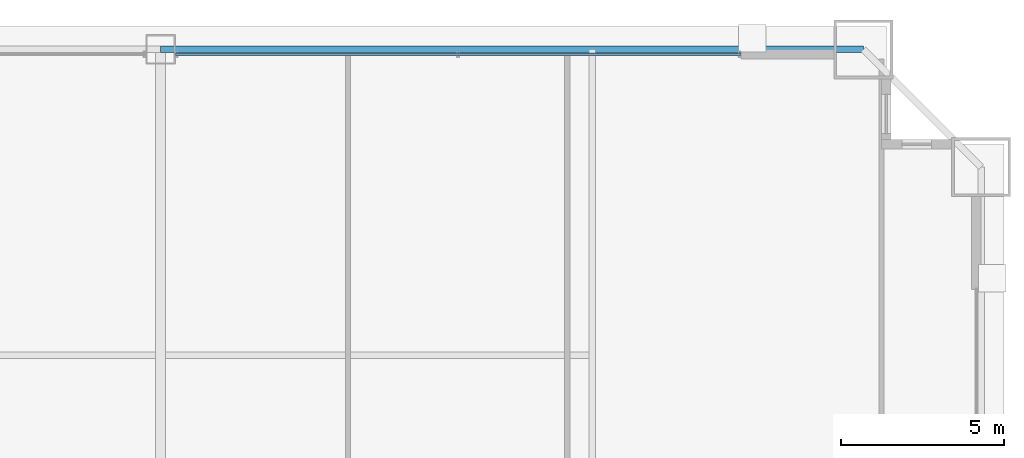
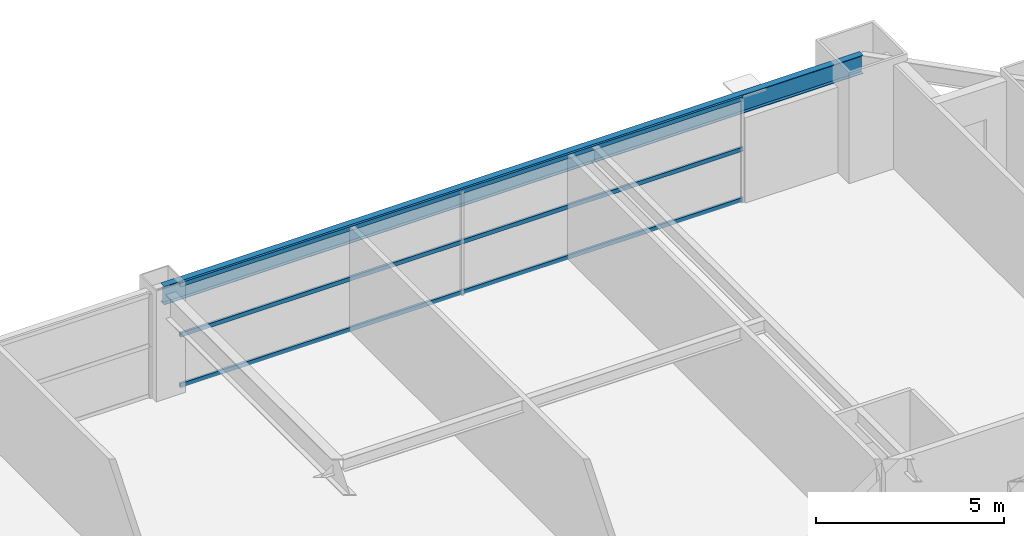
# One storey, part 36 of 43: 3 members, 1 beam, 1 element without a shape of its own.
"""IFC4 building model written with IfcOpenShell, lengths in metres."""

from ifc_helpers import new_model, si_unit, direction, frame, origin, origin_2d, place, context, subcontext, project, spatial, hollow_rectangle, i_section, extrude, source, transform, mapped, material, layer, layer_set, material_profile, profile_set, type_object, element, aggregate, save


model = new_model("IFC4")

# Units and contexts
model_context = context("Model", 3, precision=1e-05, world=origin(), true_north=direction((0.0, 1.0)))
body_context = subcontext(model_context, "Body", "Model", "MODEL_VIEW")
ifc_project = project(units=[si_unit("LENGTHUNIT", "METRE"), si_unit("AREAUNIT", "SQUARE_METRE"), si_unit("VOLUMEUNIT", "CUBIC_METRE"), si_unit("PLANEANGLEUNIT", "RADIAN"), si_unit("MASSUNIT", "GRAM", prefix="KILO"), si_unit("THERMODYNAMICTEMPERATUREUNIT", "KELVIN"), si_unit("POWERUNIT", "WATT")], contexts=[model_context])

# Site, building, storey
site_placement = place(None, origin())
site = spatial("IfcSite", under=ifc_project, at=site_placement, CompositionType="ELEMENT")
building_placement = place(site_placement, origin())
building = spatial("IfcBuilding", under=site, at=building_placement, Name="Yuzanri Waterfront Tower", CompositionType="ELEMENT")
storey_placement = place(building_placement, frame((0.0, 0.0, 64.0)))
storey = spatial("IfcBuildingStorey", under=building, at=storey_placement, Name="L16", CompositionType="ELEMENT", Elevation=64.0)

# Beam
ifc_material_1 = material(Name="Steel Q355B", Category="steel")
ifc_material_profile_1 = material_profile(ifc_material_1, i_section(OverallWidth=0.199951171875, OverallDepth=0.60009765625, WebThickness=0.010986328125, FlangeThickness=0.01708984375, at=origin_2d()), Name="HN 600x200x11x17")
ifc_profile_set_1 = profile_set([ifc_material_profile_1], Name="Steel Q355B")
beam_type = type_object("IfcBeamType", Name="Perimeter Spandrel Q355B HN 600x200", PredefinedType="SPANDREL", material=ifc_profile_set_1)
shared_shape_1 = source(origin(), body_context, "Body", "SweptSolid", [
    extrude(i_section(OverallWidth=0.199951171875, OverallDepth=0.60009765625, WebThickness=0.010986328125, FlangeThickness=0.01708984375, at=origin_2d()), origin(), (0.0, 0.0, 1.0), 21.5),
])
beam_placement = place(storey_placement, frame((58.5, 50.89990234375, 3.080078125), z_axis=(-1.0, 0.0, 0.0), x_axis=(0.0, -1.0, 0.0)))
element("IfcBeam", 1, at=beam_placement, inside=storey, type_object=beam_type, Name="L16 Perimeter Spandrel N3-N2", PredefinedType="SPANDREL", context=body_context, shape_type="MappedRepresentation", body=[
    mapped(shared_shape_1, transform((0.0, 0.0, 0.0), scale=1.0)),
])

# Curtain wall, members
ifc_material_2 = material(Name="Anodized Architectural Bronze", Category="metal")
ifc_layer = layer(ifc_material_2, 0.159912109375)
ifc_layer_set = layer_set([ifc_layer], Name="Anodized Architectural Bronze")
curtain_wall_type = type_object("IfcCurtainWallType", Name="Anodized Bronze Hotel Lower-Tier Recessed Unitized Curtain Wall 8100", PredefinedType="NOTDEFINED", material=ifc_layer_set)
curtain_wall_placement = place(storey_placement, origin())
curtain_wall = element("IfcCurtainWall", 2, at=curtain_wall_placement, inside=storey, type_object=curtain_wall_type, Name="L16 Curtain Wall CW-L16-NR", PredefinedType="NOTDEFINED")
ifc_material_3 = material(Name="Anodized Architectural Bronze", Category="metal")
ifc_material_profile_2 = material_profile(ifc_material_3, hollow_rectangle(XDim=0.070068359375, YDim=0.135009765625, WallThickness=0.00341796875, at=origin_2d()), Name="CWT 70x135")
ifc_profile_set_2 = profile_set([ifc_material_profile_2], Name="Anodized Architectural Bronze")
member_type = type_object("IfcMemberType", Name="Anodized Bronze Standard Curtain-Wall Transom 70x135", PredefinedType="USERDEFINED", material=ifc_profile_set_2)
shared_shape_2 = source(origin(), body_context, "Body", "SweptSolid", [
    extrude(hollow_rectangle(XDim=0.070068359375, YDim=0.135009765625, WallThickness=0.00341796875, at=origin_2d()), origin(), (0.0, 0.0, 1.0), 17.300048828125),
])
member_1_placement = place(storey_placement, frame((37.449951171875, 50.75, 0.050048828125), z_axis=(1.0, 0.0, 0.0), x_axis=(0.0, 1.0, 0.0)))
member_1 = element("IfcMember", 3, at=member_1_placement, type_object=member_type, Name="CW-L16-NR Transom 1", ObjectType="TRANSOM", PredefinedType="USERDEFINED", context=body_context, shape_type="MappedRepresentation", body=[
    mapped(shared_shape_2, transform((0.0, 0.0, 0.0), scale=1.0)),
])
member_2_placement = place(storey_placement, frame((37.449951171875, 50.75, 1.68994140625), z_axis=(1.0, 0.0, 0.0), x_axis=(0.0, 1.0, 0.0)))
member_2 = element("IfcMember", 4, at=member_2_placement, type_object=member_type, Name="CW-L16-NR Transom 2", ObjectType="TRANSOM", PredefinedType="USERDEFINED", context=body_context, shape_type="MappedRepresentation", body=[
    mapped(shared_shape_2, transform((0.0, 0.0, 0.0), scale=1.0)),
])
member_3_placement = place(storey_placement, frame((37.449951171875, 50.75, 3.330078125), z_axis=(1.0, 0.0, 0.0), x_axis=(0.0, 1.0, 0.0)))
member_3 = element("IfcMember", 5, at=member_3_placement, type_object=member_type, Name="CW-L16-NR Transom 3", ObjectType="TRANSOM", PredefinedType="USERDEFINED", context=body_context, shape_type="MappedRepresentation", body=[
    mapped(shared_shape_2, transform((0.0, 0.0, 0.0), scale=1.0)),
])
aggregate(curtain_wall, [member_1, member_2, member_3])

save(model, "model.ifc")
